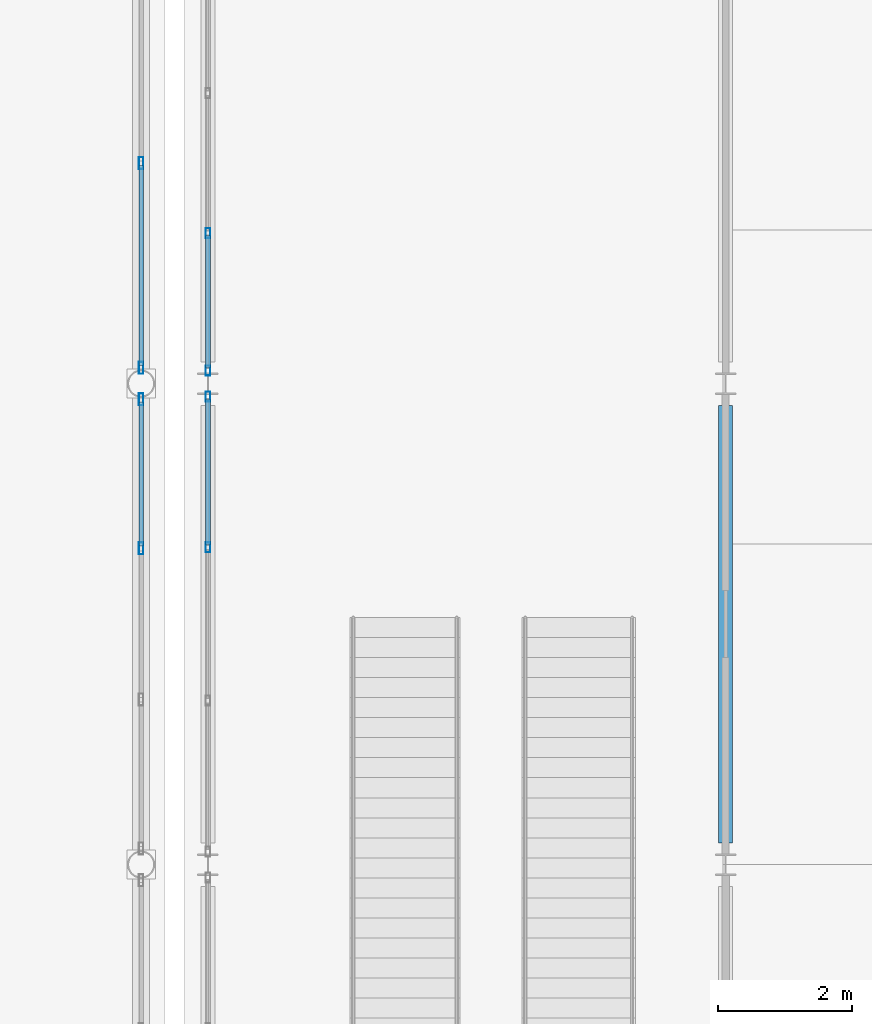
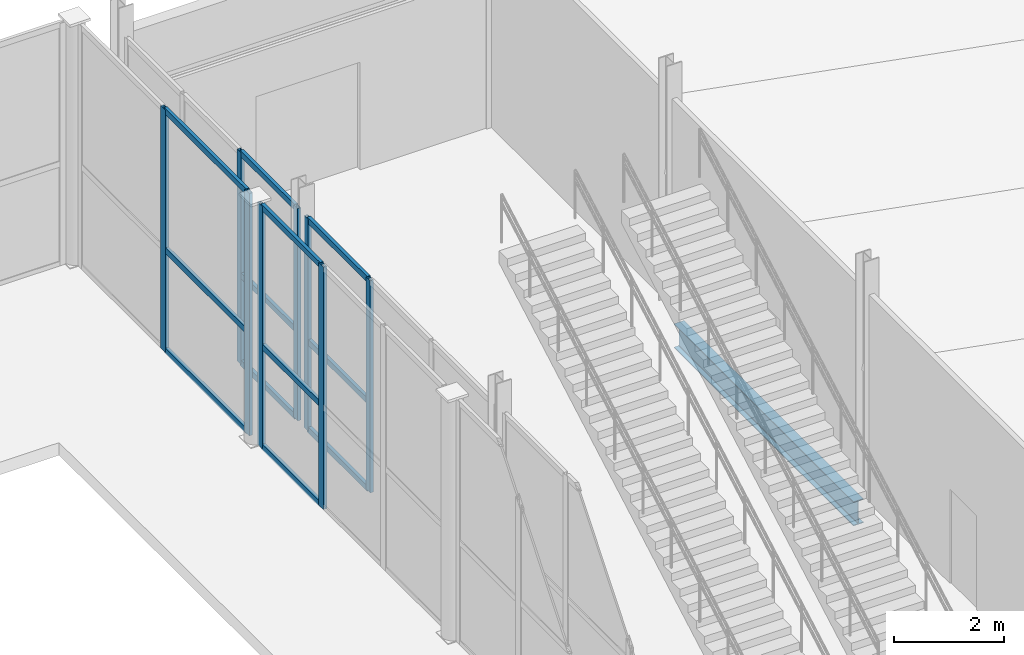
# One storey, part 51 of 83: 20 members, 1 beam, 4 elements without a shape of their own.
"""IFC4 building model written with IfcOpenShell, lengths in metres."""

from ifc_helpers import new_model, si_unit, direction, frame, origin, origin_2d, place, context, subcontext, project, spatial, hollow_rectangle, i_section, extrude, material, layer, layer_set, material_profile, profile_set, type_object, element, aggregate, save


model = new_model("IFC4")

# Units and contexts
model_context = context("Model", 3, precision=1e-05, world=origin(), true_north=direction((0.0, 1.0)))
body_context = subcontext(model_context, "Body", "Model", "MODEL_VIEW")
ifc_project = project(units=[si_unit("LENGTHUNIT", "METRE"), si_unit("AREAUNIT", "SQUARE_METRE"), si_unit("VOLUMEUNIT", "CUBIC_METRE"), si_unit("PLANEANGLEUNIT", "RADIAN"), si_unit("MASSUNIT", "GRAM", prefix="KILO")], contexts=[model_context])

# Site, building, storey
site_placement = place(None, origin())
site = spatial("IfcSite", under=ifc_project, at=site_placement, CompositionType="ELEMENT")
building_placement = place(site_placement, origin())
building = spatial("IfcBuilding", under=site, at=building_placement, Name="Quillay Park Conservatory", CompositionType="ELEMENT")
storey_placement = place(building_placement, origin())
storey = spatial("IfcBuildingStorey", under=building, at=storey_placement, Name="L00", CompositionType="ELEMENT", Elevation=0.0)

# Curtain wall, members
ifc_material_1 = material(Name="Thermally Broken Anodised Aluminium 6063-T6", Category="aluminium")
ifc_layer_1 = layer(ifc_material_1, 0.1650390625)
ifc_layer_set_1 = layer_set([ifc_layer_1], Name="UNITISED CURTAIN WALL PODIUM (Thermally Broken Anodised Aluminium 6063-T6)")
curtain_wall_type_1 = type_object("IfcCurtainWallType", Name="UNITISED CURTAIN WALL PODIUM", PredefinedType="USERDEFINED", material=ifc_layer_set_1)
curtain_wall_1_placement = place(storey_placement, origin())
curtain_wall_1 = element("IfcCurtainWall", 1, at=curtain_wall_1_placement, inside=storey, type_object=curtain_wall_type_1, Name="L00 Unitised Curtain Wall 225", ObjectType="UNITISED CURTAIN WALL", PredefinedType="USERDEFINED")
ifc_material_2 = material(Name="Thermally Broken Anodised Aluminium 6063-T6", Category="aluminium")
ifc_material_profile_1 = material_profile(ifc_material_2, hollow_rectangle(XDim=0.070068359375, YDim=0.14990234375, WallThickness=0.00341796875, at=origin_2d()), Name="AL70x150x3.5")
ifc_profile_set_1 = profile_set([ifc_material_profile_1], Name="Thermally Broken Anodised Aluminium 6063-T6")
member_type_1 = type_object("IfcMemberType", Name="CURTAIN WALL MULLION 70 X150", PredefinedType="MULLION", material=ifc_profile_set_1)
member_1_placement = place(storey_placement, frame((115.85009765625, 104.3466796875, 0.0), z_axis=(0.0, 0.0, 1.0), x_axis=(-1.0, 0.0, 0.0)))
member_1 = element("IfcMember", 2, at=member_1_placement, type_object=member_type_1, Name="CW-P1 mullion 3", PredefinedType="MULLION", context=body_context, shape_type="SweptSolid", body=[
    extrude(hollow_rectangle(XDim=0.070068359375, YDim=0.14990234375, WallThickness=0.00341796875, at=origin_2d()), origin(), (0.0, 0.0, 1.0), 4.72900390625),
])
member_2_placement = place(storey_placement, frame((115.85009765625, 106.60498046875, 0.0), z_axis=(0.0, 0.0, 1.0), x_axis=(-1.0, 0.0, 0.0)))
member_2 = element("IfcMember", 3, at=member_2_placement, type_object=member_type_1, Name="CW-P1 mullion 4", PredefinedType="MULLION", context=body_context, shape_type="SweptSolid", body=[
    extrude(hollow_rectangle(XDim=0.070068359375, YDim=0.14990234375, WallThickness=0.00341796875, at=origin_2d()), origin(), (0.0, 0.0, 1.0), 4.72900390625),
])

curtain_wall_2_placement = place(storey_placement, origin())
curtain_wall_2 = element("IfcCurtainWall", 4, at=curtain_wall_2_placement, inside=storey, type_object=curtain_wall_type_1, Name="L00 Unitised Curtain Wall 227", ObjectType="UNITISED CURTAIN WALL", PredefinedType="USERDEFINED")
member_3_placement = place(storey_placement, frame((115.85009765625, 106.9951171875, 0.0), z_axis=(0.0, 0.0, 1.0), x_axis=(-1.0, 0.0, 0.0)))
member_3 = element("IfcMember", 5, at=member_3_placement, type_object=member_type_1, Name="CW-P1 mullion 1", PredefinedType="MULLION", context=body_context, shape_type="SweptSolid", body=[
    extrude(hollow_rectangle(XDim=0.070068359375, YDim=0.14990234375, WallThickness=0.00341796875, at=origin_2d()), origin(), (0.0, 0.0, 1.0), 4.72900390625),
])
member_4_placement = place(storey_placement, frame((115.85009765625, 109.05322265625, 0.0), z_axis=(0.0, 0.0, 1.0), x_axis=(-1.0, 0.0, 0.0)))
member_4 = element("IfcMember", 6, at=member_4_placement, type_object=member_type_1, Name="CW-P1 mullion 2", PredefinedType="MULLION", context=body_context, shape_type="SweptSolid", body=[
    extrude(hollow_rectangle(XDim=0.070068359375, YDim=0.14990234375, WallThickness=0.00341796875, at=origin_2d()), origin(), (0.0, 0.0, 1.0), 4.72900390625),
])

ifc_material_3 = material(Name="Thermally Broken Anodised Aluminium 6063-T6", Category="aluminium")
ifc_layer_2 = layer(ifc_material_3, 0.219970703125)
ifc_layer_set_2 = layer_set([ifc_layer_2], Name="UNITISED CURTAIN WALL CONSERVATORY (Thermally Broken Anodised Aluminium 6063-T6)")
curtain_wall_type_2 = type_object("IfcCurtainWallType", Name="UNITISED CURTAIN WALL CONSERVATORY", PredefinedType="USERDEFINED", material=ifc_layer_set_2)
curtain_wall_3_placement = place(storey_placement, origin())
curtain_wall_3 = element("IfcCurtainWall", 7, at=curtain_wall_3_placement, inside=storey, type_object=curtain_wall_type_2, Name="L00 Unitised Curtain Wall 169", ObjectType="UNITISED CURTAIN WALL", PredefinedType="USERDEFINED")
ifc_material_4 = material(Name="Thermally Broken Anodised Aluminium 6063-T6", Category="aluminium")
ifc_material_profile_2 = material_profile(ifc_material_4, hollow_rectangle(XDim=0.070068359375, YDim=0.179931640625, WallThickness=0.00390625, at=origin_2d()), Name="AL70x180x4")
ifc_profile_set_2 = profile_set([ifc_material_profile_2], Name="Thermally Broken Anodised Aluminium 6063-T6")
member_type_2 = type_object("IfcMemberType", Name="CURTAIN WALL MULLION 70 X180", PredefinedType="MULLION", material=ifc_profile_set_2)
member_5_placement = place(storey_placement, frame((114.85009765625, 106.56298828125, 0.0), z_axis=(0.0, 0.0, 1.0), x_axis=(1.0, 0.0, 0.0)))
member_5 = element("IfcMember", 8, at=member_5_placement, type_object=member_type_2, Name="CW-C1 mullion 1", PredefinedType="MULLION", context=body_context, shape_type="SweptSolid", body=[
    extrude(hollow_rectangle(XDim=0.070068359375, YDim=0.179931640625, WallThickness=0.00390625, at=origin_2d()), origin(), (0.0, 0.0, 1.0), 5.39990234375),
])
member_6_placement = place(storey_placement, frame((114.85009765625, 104.332763671875, 0.0), z_axis=(0.0, 0.0, 1.0), x_axis=(1.0, 0.0, 0.0)))
member_6 = element("IfcMember", 9, at=member_6_placement, type_object=member_type_2, Name="CW-C1 mullion 2", PredefinedType="MULLION", context=body_context, shape_type="SweptSolid", body=[
    extrude(hollow_rectangle(XDim=0.070068359375, YDim=0.179931640625, WallThickness=0.00390625, at=origin_2d()), origin(), (0.0, 0.0, 1.0), 5.39990234375),
])

curtain_wall_4_placement = place(storey_placement, origin())
curtain_wall_4 = element("IfcCurtainWall", 10, at=curtain_wall_4_placement, inside=storey, type_object=curtain_wall_type_2, Name="L00 Unitised Curtain Wall 173", ObjectType="UNITISED CURTAIN WALL", PredefinedType="USERDEFINED")
member_7_placement = place(storey_placement, frame((114.85009765625, 110.10009765625, 0.0), z_axis=(0.0, 0.0, 1.0), x_axis=(1.0, 0.0, 0.0)))
member_7 = element("IfcMember", 11, at=member_7_placement, type_object=member_type_2, Name="CW-C1 mullion 2", PredefinedType="MULLION", context=body_context, shape_type="SweptSolid", body=[
    extrude(hollow_rectangle(XDim=0.070068359375, YDim=0.179931640625, WallThickness=0.00390625, at=origin_2d()), origin(), (0.0, 0.0, 1.0), 5.39990234375),
])
member_8_placement = place(storey_placement, frame((114.85009765625, 107.037109375, 0.0), z_axis=(0.0, 0.0, 1.0), x_axis=(1.0, 0.0, 0.0)))
member_8 = element("IfcMember", 12, at=member_8_placement, type_object=member_type_2, Name="CW-C1 mullion 3", PredefinedType="MULLION", context=body_context, shape_type="SweptSolid", body=[
    extrude(hollow_rectangle(XDim=0.070068359375, YDim=0.179931640625, WallThickness=0.00390625, at=origin_2d()), origin(), (0.0, 0.0, 1.0), 5.39990234375),
])

# Member
ifc_material_5 = material(Name="Thermally Broken Anodised Aluminium 6063-T6", Category="aluminium")
ifc_material_profile_3 = material_profile(ifc_material_5, hollow_rectangle(XDim=0.070068359375, YDim=0.1298828125, WallThickness=0.003173828125, at=origin_2d()), Name="AL70x130x3.2")
ifc_profile_set_3 = profile_set([ifc_material_profile_3], Name="Thermally Broken Anodised Aluminium 6063-T6")
member_type_3 = type_object("IfcMemberType", Name="CURTAIN WALL TRANSOM 70 X130", PredefinedType="USERDEFINED", material=ifc_profile_set_3)
member_9_placement = place(storey_placement, frame((114.85009765625, 106.528076171875, 0.034912109375), z_axis=(0.0, -1.0, 0.0), x_axis=(1.0, 0.0, 0.0)))
member_9 = element("IfcMember", 13, at=member_9_placement, type_object=member_type_3, Name="CW-C1 transom 1.1", ObjectType="TRANSOM", PredefinedType="USERDEFINED", context=body_context, shape_type="SweptSolid", body=[
    extrude(hollow_rectangle(XDim=0.070068359375, YDim=0.1298828125, WallThickness=0.003173828125, at=origin_2d()), origin(), (0.0, 0.0, 1.0), 2.160400390625),
])

member_10_placement = place(storey_placement, frame((114.85009765625, 106.528076171875, 2.26806640625), z_axis=(0.0, -1.0, 0.0), x_axis=(1.0, 0.0, 0.0)))
member_10 = element("IfcMember", 14, at=member_10_placement, type_object=member_type_3, Name="CW-C1 transom 1.2", ObjectType="TRANSOM", PredefinedType="USERDEFINED", context=body_context, shape_type="SweptSolid", body=[
    extrude(hollow_rectangle(XDim=0.070068359375, YDim=0.1298828125, WallThickness=0.003173828125, at=origin_2d()), origin(), (0.0, 0.0, 1.0), 2.160400390625),
])

member_11_placement = place(storey_placement, frame((114.85009765625, 106.528076171875, 5.364990234375), z_axis=(0.0, -1.0, 0.0), x_axis=(1.0, 0.0, 0.0)))
member_11 = element("IfcMember", 15, at=member_11_placement, type_object=member_type_3, Name="CW-C1 transom 1.3", ObjectType="TRANSOM", PredefinedType="USERDEFINED", context=body_context, shape_type="SweptSolid", body=[
    extrude(hollow_rectangle(XDim=0.070068359375, YDim=0.1298828125, WallThickness=0.003173828125, at=origin_2d()), origin(), (0.0, 0.0, 1.0), 2.160400390625),
])

aggregate(curtain_wall_3, [member_5, member_6, member_9, member_10, member_11])

member_12_placement = place(storey_placement, frame((114.85009765625, 110.06494140625, 0.034912109375), z_axis=(0.0, -1.0, 0.0), x_axis=(1.0, 0.0, 0.0)))
member_12 = element("IfcMember", 16, at=member_12_placement, type_object=member_type_3, Name="CW-C1 transom 2.1", ObjectType="TRANSOM", PredefinedType="USERDEFINED", context=body_context, shape_type="SweptSolid", body=[
    extrude(hollow_rectangle(XDim=0.070068359375, YDim=0.1298828125, WallThickness=0.003173828125, at=origin_2d()), origin(), (0.0, 0.0, 1.0), 2.992919921875),
])

member_13_placement = place(storey_placement, frame((114.85009765625, 110.06494140625, 2.26806640625), z_axis=(0.0, -1.0, 0.0), x_axis=(1.0, 0.0, 0.0)))
member_13 = element("IfcMember", 17, at=member_13_placement, type_object=member_type_3, Name="CW-C1 transom 2.2", ObjectType="TRANSOM", PredefinedType="USERDEFINED", context=body_context, shape_type="SweptSolid", body=[
    extrude(hollow_rectangle(XDim=0.070068359375, YDim=0.1298828125, WallThickness=0.003173828125, at=origin_2d()), origin(), (0.0, 0.0, 1.0), 2.992919921875),
])

member_14_placement = place(storey_placement, frame((114.85009765625, 110.06494140625, 5.364990234375), z_axis=(0.0, -1.0, 0.0), x_axis=(1.0, 0.0, 0.0)))
member_14 = element("IfcMember", 18, at=member_14_placement, type_object=member_type_3, Name="CW-C1 transom 2.3", ObjectType="TRANSOM", PredefinedType="USERDEFINED", context=body_context, shape_type="SweptSolid", body=[
    extrude(hollow_rectangle(XDim=0.070068359375, YDim=0.1298828125, WallThickness=0.003173828125, at=origin_2d()), origin(), (0.0, 0.0, 1.0), 2.992919921875),
])

aggregate(curtain_wall_4, [member_7, member_8, member_12, member_13, member_14])

member_15_placement = place(storey_placement, frame((115.85009765625, 104.381591796875, 0.034912109375), z_axis=(0.0, 1.0, 0.0), x_axis=(-1.0, 0.0, 0.0)))
member_15 = element("IfcMember", 19, at=member_15_placement, type_object=member_type_3, Name="CW-P1 transom 3.1", ObjectType="TRANSOM", PredefinedType="USERDEFINED", context=body_context, shape_type="SweptSolid", body=[
    extrude(hollow_rectangle(XDim=0.070068359375, YDim=0.1298828125, WallThickness=0.003173828125, at=origin_2d()), origin(), (0.0, 0.0, 1.0), 2.1884765625),
])

member_16_placement = place(storey_placement, frame((115.85009765625, 104.381591796875, 1.986083984375), z_axis=(0.0, 1.0, 0.0), x_axis=(-1.0, 0.0, 0.0)))
member_16 = element("IfcMember", 20, at=member_16_placement, type_object=member_type_3, Name="CW-P1 transom 3.2", ObjectType="TRANSOM", PredefinedType="USERDEFINED", context=body_context, shape_type="SweptSolid", body=[
    extrude(hollow_rectangle(XDim=0.070068359375, YDim=0.1298828125, WallThickness=0.003173828125, at=origin_2d()), origin(), (0.0, 0.0, 1.0), 2.1884765625),
])

member_17_placement = place(storey_placement, frame((115.85009765625, 104.381591796875, 4.694091796875), z_axis=(0.0, 1.0, 0.0), x_axis=(-1.0, 0.0, 0.0)))
member_17 = element("IfcMember", 21, at=member_17_placement, type_object=member_type_3, Name="CW-P1 transom 3.3", ObjectType="TRANSOM", PredefinedType="USERDEFINED", context=body_context, shape_type="SweptSolid", body=[
    extrude(hollow_rectangle(XDim=0.070068359375, YDim=0.1298828125, WallThickness=0.003173828125, at=origin_2d()), origin(), (0.0, 0.0, 1.0), 2.1884765625),
])

aggregate(curtain_wall_1, [member_1, member_2, member_15, member_16, member_17])

member_18_placement = place(storey_placement, frame((115.85009765625, 107.030029296875, 0.034912109375), z_axis=(0.0, 1.0, 0.0), x_axis=(-1.0, 0.0, 0.0)))
member_18 = element("IfcMember", 22, at=member_18_placement, type_object=member_type_3, Name="CW-P1 transom 1.1", ObjectType="TRANSOM", PredefinedType="USERDEFINED", context=body_context, shape_type="SweptSolid", body=[
    extrude(hollow_rectangle(XDim=0.070068359375, YDim=0.1298828125, WallThickness=0.003173828125, at=origin_2d()), origin(), (0.0, 0.0, 1.0), 1.98828125),
])

member_19_placement = place(storey_placement, frame((115.85009765625, 107.030029296875, 1.986083984375), z_axis=(0.0, 1.0, 0.0), x_axis=(-1.0, 0.0, 0.0)))
member_19 = element("IfcMember", 23, at=member_19_placement, type_object=member_type_3, Name="CW-P1 transom 1.2", ObjectType="TRANSOM", PredefinedType="USERDEFINED", context=body_context, shape_type="SweptSolid", body=[
    extrude(hollow_rectangle(XDim=0.070068359375, YDim=0.1298828125, WallThickness=0.003173828125, at=origin_2d()), origin(), (0.0, 0.0, 1.0), 1.98828125),
])

member_20_placement = place(storey_placement, frame((115.85009765625, 107.030029296875, 4.694091796875), z_axis=(0.0, 1.0, 0.0), x_axis=(-1.0, 0.0, 0.0)))
member_20 = element("IfcMember", 24, at=member_20_placement, type_object=member_type_3, Name="CW-P1 transom 1.3", ObjectType="TRANSOM", PredefinedType="USERDEFINED", context=body_context, shape_type="SweptSolid", body=[
    extrude(hollow_rectangle(XDim=0.070068359375, YDim=0.1298828125, WallThickness=0.003173828125, at=origin_2d()), origin(), (0.0, 0.0, 1.0), 1.98828125),
])

aggregate(curtain_wall_2, [member_3, member_4, member_18, member_19, member_20])

# Beam
ifc_material_6 = material(Name="Steel ASTM A992 Grade 50", Category="steel")
ifc_material_profile_4 = material_profile(ifc_material_6, i_section(OverallWidth=0.2109375, OverallDepth=0.5390625, WebThickness=0.01171875, FlangeThickness=0.018798828125, FilletRadius=0.013916015625, at=origin_2d()), Name="W530x109")
ifc_profile_set_4 = profile_set([ifc_material_profile_4], Name="Steel ASTM A992 Grade 50")
beam_type = type_object("IfcBeamType", Name="PRIMARY FLOOR GIRDER W530 X109", PredefinedType="BEAM", material=ifc_profile_set_4)
beam_placement = place(storey_placement, frame((123.60009765625, 99.925048828125, -0.51953125), z_axis=(0.0, 1.0, 0.0), x_axis=(-1.0, 0.0, 0.0)))
element("IfcBeam", 25, at=beam_placement, inside=storey, type_object=beam_type, Name="L00 beam BM-V2Y-1686", PredefinedType="BEAM", context=body_context, shape_type="SweptSolid", body=[
    extrude(i_section(OverallWidth=0.2109375, OverallDepth=0.5390625, WebThickness=0.01171875, FlangeThickness=0.018798828125, FilletRadius=0.013916015625, at=origin_2d()), origin(), (0.0, 0.0, 1.0), 6.550048828125),
])

save(model, "model.ifc")
